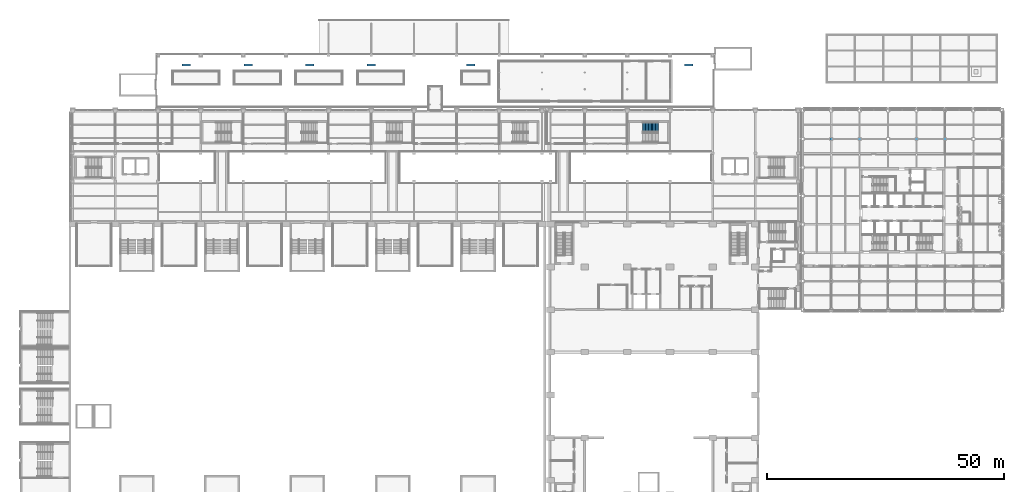
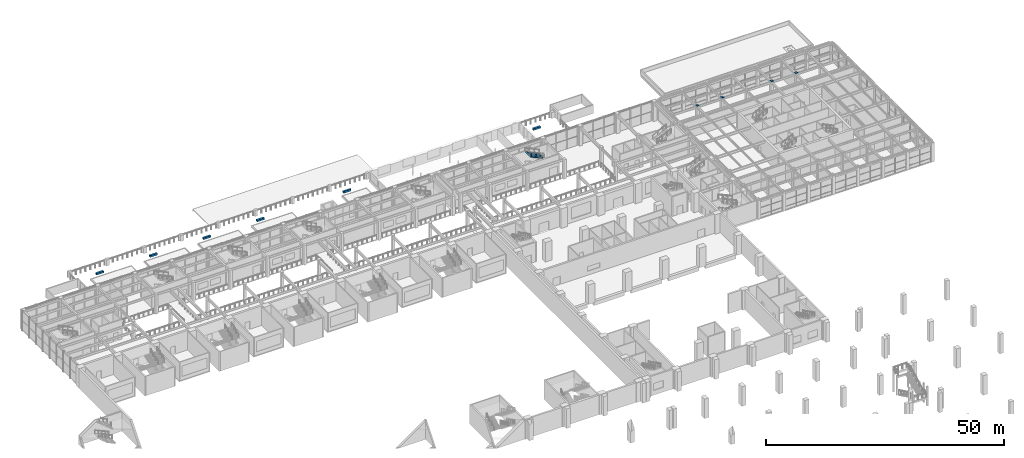
# One storey, part 53 of 67: 10 discrete accessories, 1 stair flight, 1 element without a shape of its own.
"""IFC4 building model written with IfcOpenShell, lengths in metres."""

from ifc_helpers import new_model, si_unit, direction, frame, origin, origin_2d, place, context, subcontext, project, spatial, polyline, rectangle, outline, extrude, material, layer, layer_set, type_object, element, aggregate, save


model = new_model("IFC4")

# Units and contexts
model_context = context("Model", 3, precision=1e-05, world=origin(), true_north=direction((0.0, 1.0)))
body_context = subcontext(model_context, "Body", "Model", "MODEL_VIEW")
ifc_project = project(units=[si_unit("LENGTHUNIT", "METRE"), si_unit("AREAUNIT", "SQUARE_METRE"), si_unit("VOLUMEUNIT", "CUBIC_METRE"), si_unit("PLANEANGLEUNIT", "RADIAN"), si_unit("MASSUNIT", "GRAM", prefix="KILO")], contexts=[model_context])

# Site, building, storey
site_placement = place(None, origin())
site = spatial("IfcSite", under=ifc_project, at=site_placement, CompositionType="ELEMENT")
building_placement = place(site_placement, origin())
building = spatial("IfcBuilding", under=site, at=building_placement, Name="Aravalli Gate Trade Fair Centre", CompositionType="ELEMENT")
storey_placement = place(building_placement, frame((0.0, 0.0, 5.0)))
storey = spatial("IfcBuildingStorey", under=building, at=storey_placement, Name="L01", CompositionType="ELEMENT", Elevation=5.0)

# Stair, stair flight
ifc_material_1 = material(Name="Concrete M30", Category="concrete")
stair_type = type_object("IfcStairType", Name="Concourse stair, 2000 wide", PredefinedType="HALF_TURN_STAIR", material=ifc_material_1)
stair_placement = place(storey_placement, origin())
stair = element("IfcStair", 1, at=stair_placement, inside=storey, type_object=stair_type, Name="Stair XE L01", PredefinedType="HALF_TURN_STAIR")
stair_flight_type = type_object("IfcStairFlightType", Name="Concourse stair flight 2000", PredefinedType="STRAIGHT", material=ifc_material_1)
stair_flight_placement = place(storey_placement, frame((129.550048828125, 129.5, 3.333251953125), z_axis=(0.0, 0.0, 1.0), x_axis=(-1.0, 0.0, 0.0)))
stair_flight = element("IfcStairFlight", 2, at=stair_flight_placement, type_object=stair_flight_type, Name="STXE-L01 flight 3", NumberOfRisers=12, NumberOfTreads=11, PredefinedType="STRAIGHT", RiserHeight=0.138888889, TreadLength=0.3, context=body_context, shape_type="SweptSolid", body=[
    extrude(outline(polyline([(0.0, 0.0), (0.0, 0.138916015625), (0.300048828125, 0.138916015625), (0.300048828125, 0.27783203125), (0.60009765625, 0.27783203125), (0.60009765625, 0.416748046875), (0.89990234375, 0.416748046875), (0.89990234375, 0.5556640625), (1.199951171875, 0.5556640625), (1.199951171875, 0.6943359375), (1.5, 0.6943359375), (1.5, 0.833251953125), (1.800048828125, 0.833251953125), (1.800048828125, 0.97216796875), (2.10009765625, 0.97216796875), (2.10009765625, 1.111083984375), (2.39990234375, 1.111083984375), (2.39990234375, 1.25), (2.699951171875, 1.25), (2.699951171875, 1.388916015625), (3.0, 1.388916015625), (3.0, 1.52783203125), (3.300048828125, 1.52783203125), (3.300048828125, 1.666748046875), (3.300048828125, 1.307373046875), (0.475830078125, 0.0), (0.0, 0.0)])), frame((0.0, 1.0, 0.0), z_axis=(0.0, -1.0, 0.0), x_axis=(1.0, 0.0, 0.0)), (0.0, 0.0, 1.0), 2.0),
])
aggregate(stair, [stair_flight])

# Discrete accessories
ifc_material_2 = material(Name="Steel E350", Category="steel")
ifc_layer = layer(ifc_material_2, 0.01611328125)
ifc_layer_set = layer_set([ifc_layer], Name="Steel E350")
discrete_accessory_type_1 = type_object("IfcDiscreteAccessoryType", Name="End plate 600x600 x 16", PredefinedType="USERDEFINED", material=ifc_layer_set)
for number, where, z_axis, x_axis, name in (
    (3, (165.699951171875, 126.699951171875, 5.01611328125), (0.0, 0.0, 1.0), (1.0, 0.0, 0.0), "End plate Wing column 19/T4 L01 end B"),
    (4, (171.699951171875, 126.699951171875, 5.01611328125), (0.0, 0.0, 1.0), (1.0, 0.0, 0.0), "End plate Wing column 20/T4 L01 end B"),
    (5, (183.699951171875, 126.699951171875, 5.01611328125), (0.0, 0.0, 1.0), (1.0, 0.0, 0.0), "End plate Wing column 22/T4 L01 end B"),
    (6, (189.699951171875, 126.699951171875, 5.01611328125), (0.0, 0.0, 1.0), (1.0, 0.0, 0.0), "End plate Wing column 23/T4 L01 end B"),
):
    element("IfcDiscreteAccessory", number, at=place(storey_placement, frame(where, z_axis=z_axis, x_axis=x_axis)), inside=storey, type_object=discrete_accessory_type_1, Name=name, ObjectType="END CAP", PredefinedType="USERDEFINED", context=body_context, shape_type="SweptSolid", body=[
        extrude(outline(polyline([(0.0, 0.0), (0.60009765625, 0.0), (0.60009765625, 0.60009765625), (0.0, 0.60009765625), (0.0, 0.0)])), origin(), (0.0, 0.0, -1.0), 0.01611328125),
    ])
ifc_material_3 = material(Name="Timber on galvanised frame", Category="wood")
discrete_accessory_type_2 = type_object("IfcDiscreteAccessoryType", Name="Terrace bench 1800 x 450", PredefinedType="USERDEFINED", material=ifc_material_3)
for number, where, z_axis, x_axis, name in (
    (7, (30.0, 142.60009765625, 0.0), (0.0, 0.0, 1.0), (1.0, 0.0, 0.0), "Terrace bench 1"),
    (8, (43.0, 142.60009765625, 0.0), (0.0, 0.0, 1.0), (1.0, 0.0, 0.0), "Terrace bench 2"),
    (9, (56.0, 142.60009765625, 0.0), (0.0, 0.0, 1.0), (1.0, 0.0, 0.0), "Terrace bench 3"),
    (10, (69.0, 142.60009765625, 0.0), (0.0, 0.0, 1.0), (1.0, 0.0, 0.0), "Terrace bench 4"),
    (11, (90.0, 142.60009765625, 0.0), (0.0, 0.0, 1.0), (1.0, 0.0, 0.0), "Terrace bench 5"),
    (12, (136.0, 142.60009765625, 0.0), (0.0, 0.0, 1.0), (1.0, 0.0, 0.0), "Terrace bench 6"),
):
    element("IfcDiscreteAccessory", number, at=place(storey_placement, frame(where, z_axis=z_axis, x_axis=x_axis)), inside=storey, type_object=discrete_accessory_type_2, Name=name, ObjectType="BENCH", PredefinedType="USERDEFINED", context=body_context, shape_type="SweptSolid", body=[
        extrude(rectangle(XDim=1.800048828125, YDim=0.449951171875, at=origin_2d()), origin(), (0.0, 0.0, 1.0), 0.449951171875),
    ])

save(model, "model.ifc")
